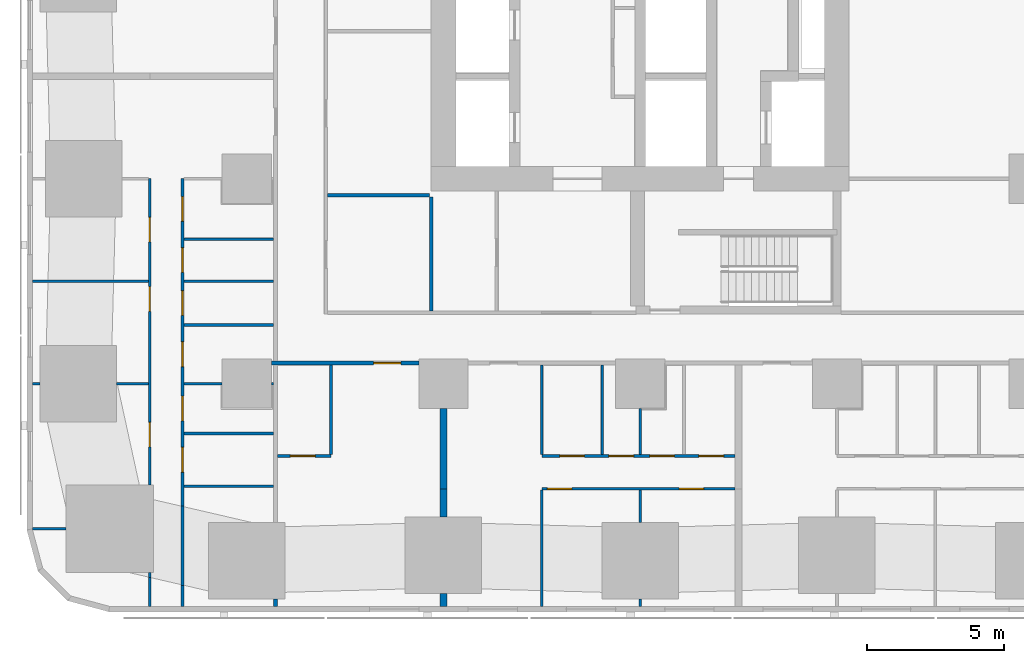
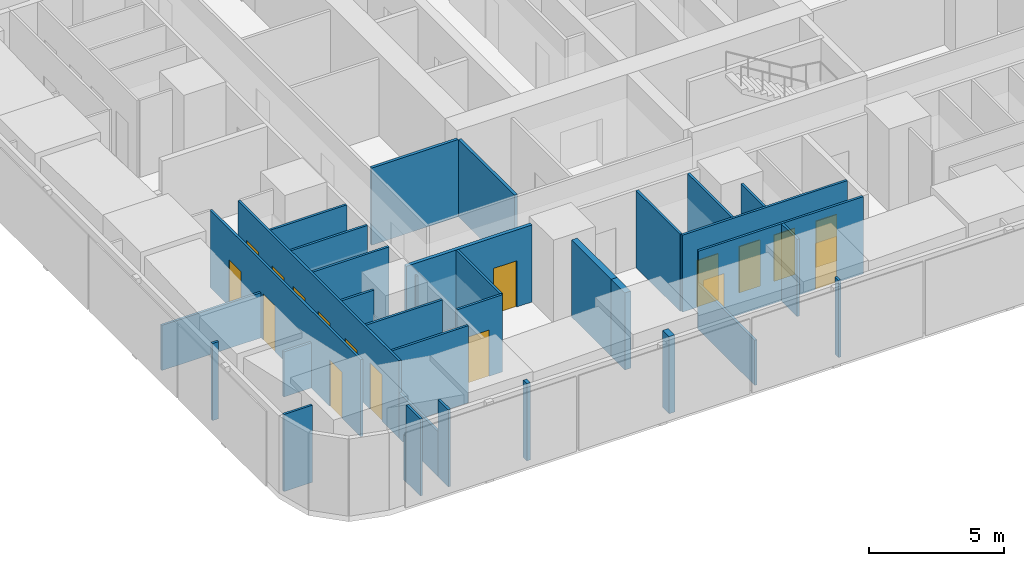
# One storey, part 2 of 18: 34 walls, 17 doors, 17 openings.
"""IFC4 building model written with IfcOpenShell, lengths in metres."""

from ifc_helpers import new_model, si_unit, direction, frame, frame_2d, origin, place, context, subcontext, project, spatial, rectangle, extrude, material, layer, layer_set, type_object, element, fill, save


model = new_model("IFC4")

# Units and contexts
model_context = context("Model", 3, precision=1e-05, world=origin(), true_north=direction((0.0, 1.0)))
body_context = subcontext(model_context, "Body", "Model", "MODEL_VIEW")
ifc_project = project(units=[si_unit("LENGTHUNIT", "METRE"), si_unit("AREAUNIT", "SQUARE_METRE"), si_unit("VOLUMEUNIT", "CUBIC_METRE"), si_unit("PLANEANGLEUNIT", "RADIAN"), si_unit("MASSUNIT", "GRAM", prefix="KILO")], contexts=[model_context])

# Site, building, storey
site_placement = place(None, origin())
site = spatial("IfcSite", under=ifc_project, at=site_placement, CompositionType="ELEMENT")
building_placement = place(site_placement, origin())
building = spatial("IfcBuilding", under=site, at=building_placement, Name="Sheger Commons Tower", CompositionType="ELEMENT")
storey_placement = place(building_placement, frame((0.0, 0.0, 35.0)))
storey = spatial("IfcBuildingStorey", under=building, at=storey_placement, Name="L08", CompositionType="ELEMENT", Elevation=35.0)

# Wall
ifc_material_1 = material(Name="Hollow concrete block masonry, skimmed both sides", Category="masonry")
ifc_layer_1 = layer(ifc_material_1, 0.14990234375)
ifc_layer_set_1 = layer_set([ifc_layer_1], Name="CORRIDOR WALL 150")
wall_type_1 = type_object("IfcWallType", Name="CORRIDOR WALL 150", PredefinedType="SOLIDWALL", material=ifc_layer_set_1)
wall_1_placement = place(storey_placement, frame((8.25, -0.64990234375, 0.0), z_axis=(0.0, 0.0, 1.0), x_axis=(0.0, 1.0, 0.0)))
element("IfcWall", 1, at=wall_1_placement, inside=storey, type_object=wall_type_1, Name="Corridor wall L08", PredefinedType="SOLIDWALL", context=body_context, shape_type="SweptSolid", body=[
    extrude(rectangle(XDim=0.27392578125, YDim=0.14990234375, at=frame_2d((0.136962890625, 0.0))), origin(), (0.0, 0.0, 1.0), 3.5),
])

# Wall, opening, door
wall_2_placement = place(storey_placement, frame((13.4990234375, 8.25, 0.0), z_axis=(0.0, 0.0, 1.0), x_axis=(-1.0, 0.0, 0.0)))
wall_2 = element("IfcWall", 2, at=wall_2_placement, inside=storey, type_object=wall_type_1, Name="Corridor wall L08", PredefinedType="SOLIDWALL", context=body_context, shape_type="SweptSolid", body=[
    extrude(rectangle(XDim=5.39892578125, YDim=0.14990234375, at=frame_2d((2.699462890625, 0.0))), origin(), (0.0, 0.0, 1.0), 3.5),
])
opening_1_placement = place(wall_2_placement, frame((0.659912109375, 0.0, 0.0)))
opening_1 = element("IfcOpeningElement", 3, at=opening_1_placement, cuts=wall_2, Name="Opening D1", PredefinedType="OPENING", context=body_context, shape_type="SweptSolid", body=[
    extrude(rectangle(XDim=1.0, YDim=2.10009765625, at=frame_2d((0.5, 1.050048828125))), frame((0.0, 0.0849609375, 0.0), z_axis=(0.0, -1.0, 0.0), x_axis=(1.0, 0.0, 0.0)), (0.0, 0.0, 1.0), 0.169921875),
])
ifc_material_2 = material(Name="Steel door set, fire rated", Category="steel")
door_type_1 = type_object("IfcDoorType", Name="FLAT ENTRANCE DOOR 1000x2100", OperationType="NOTDEFINED", PredefinedType="DOOR", material=ifc_material_2)
door_1_placement = place(opening_1_placement, origin())
door_1 = element("IfcDoor", 4, at=door_1_placement, inside=storey, type_object=door_type_1, Name="Flat entrance door", OperationType="SINGLE_SWING_LEFT", OverallHeight=2.10009765625, OverallWidth=1.0, PredefinedType="DOOR", context=body_context, shape_type="SweptSolid", body=[
    extrude(rectangle(XDim=1.0, YDim=2.10009765625, at=frame_2d((0.5, 1.050048828125))), frame((0.0, 0.02490234375, 0.0), z_axis=(0.0, -1.0, 0.0), x_axis=(1.0, 0.0, 0.0)), (0.0, 0.0, 1.0), 0.050048828125),
])
fill(opening_1, door_1)

# Walls
ifc_material_3 = material(Name="Dense concrete block masonry, plastered both sides (separating wall between flats)", Category="masonry")
ifc_layer_2 = layer(ifc_material_3, 0.25)
ifc_layer_set_2 = layer_set([ifc_layer_2], Name="DEMISING WALL 250")
wall_type_2 = type_object("IfcWallType", Name="DEMISING WALL 250", PredefinedType="SOLIDWALL", material=ifc_layer_set_2)
wall_3_placement = place(storey_placement, frame((14.39990234375, -0.64990234375, 0.0), z_axis=(0.0, 0.0, 1.0), x_axis=(0.0, 1.0, 0.0)))
element("IfcWall", 5, at=wall_3_placement, inside=storey, type_object=wall_type_2, Name="Demising wall L08", PredefinedType="SOLIDWALL", context=body_context, shape_type="SweptSolid", body=[
    extrude(rectangle(XDim=0.473876953125, YDim=0.25, at=frame_2d((0.23681640625, 0.0))), origin(), (0.0, 0.0, 1.0), 3.5),
])
wall_4_placement = place(storey_placement, frame((14.39990234375, 2.6259765625, 0.0), z_axis=(0.0, 0.0, 1.0), x_axis=(0.0, 1.0, 0.0)))
element("IfcWall", 6, at=wall_4_placement, inside=storey, type_object=wall_type_2, Name="Demising wall L08", PredefinedType="SOLIDWALL", context=body_context, shape_type="SweptSolid", body=[
    extrude(rectangle(XDim=1.02392578125, YDim=0.25, at=frame_2d((0.511962890625, 0.0))), origin(), (0.0, 0.0, 1.0), 3.5),
])
wall_5_placement = place(storey_placement, frame((14.39990234375, 3.64990234375, 0.0), z_axis=(0.0, 0.0, 1.0), x_axis=(0.0, 1.0, 0.0)))
element("IfcWall", 7, at=wall_5_placement, inside=storey, type_object=wall_type_2, Name="Demising wall L08", PredefinedType="SOLIDWALL", context=body_context, shape_type="SweptSolid", body=[
    extrude(rectangle(XDim=2.94921875, YDim=0.25, at=frame_2d((1.474609375, 0.0))), origin(), (0.0, 0.0, 1.0), 3.5),
])
ifc_material_4 = material(Name="Gypsum board on steel studs", Category="steel")
ifc_layer_3 = layer(ifc_material_4, 0.10009765625)
ifc_layer_set_3 = layer_set([ifc_layer_3], Name="PARTITION 100")
wall_type_3 = type_object("IfcWallType", Name="PARTITION 100", PredefinedType="PARTITIONING", material=ifc_layer_set_3)
wall_6_placement = place(storey_placement, frame((3.64990234375, -0.64990234375, 0.0), z_axis=(0.0, 0.0, 1.0), x_axis=(0.0, 1.0, 0.0)))
element("IfcWall", 8, at=wall_6_placement, inside=storey, type_object=wall_type_3, Name="Partition L08", PredefinedType="PARTITIONING", context=body_context, shape_type="SweptSolid", body=[
    extrude(rectangle(XDim=1.0478515625, YDim=0.10009765625, at=frame_2d((0.52392578125, 0.0))), origin(), (0.0, 0.0, 1.0), 3.5),
])
wall_7_placement = place(storey_placement, frame((3.64990234375, 0.39794921875, 0.0), z_axis=(0.0, 0.0, 1.0), x_axis=(0.0, 1.0, 0.0)))
element("IfcWall", 9, at=wall_7_placement, inside=storey, type_object=wall_type_3, Name="Partition L08", PredefinedType="PARTITIONING", context=body_context, shape_type="SweptSolid", body=[
    extrude(rectangle(XDim=0.18701171875, YDim=0.10009765625, at=frame_2d((0.093505859375, 0.0))), origin(), (0.0, 0.0, 1.0), 2.050048828125),
])

# Wall, openings, doors
wall_8_placement = place(storey_placement, frame((3.64990234375, 3.787109375, 0.0), z_axis=(0.0, 0.0, 1.0), x_axis=(0.0, 1.0, 0.0)))
wall_8 = element("IfcWall", 10, at=wall_8_placement, inside=storey, type_object=wall_type_3, Name="Partition L08", PredefinedType="PARTITIONING", context=body_context, shape_type="SweptSolid", body=[
    extrude(rectangle(XDim=11.212890625, YDim=0.10009765625, at=frame_2d((5.6064453125, 0.0))), origin(), (0.0, 0.0, 1.0), 3.5),
])
opening_2_placement = place(wall_8_placement, frame((8.89990234375, 0.0, 0.0)))
opening_2 = element("IfcOpeningElement", 11, at=opening_2_placement, cuts=wall_8, Name="Opening D2", PredefinedType="OPENING", context=body_context, shape_type="SweptSolid", body=[
    extrude(rectangle(XDim=0.89990234375, YDim=2.10009765625, at=frame_2d((0.449951171875, 1.050048828125))), frame((0.0, 0.06005859375, 0.0), z_axis=(0.0, -1.0, 0.0), x_axis=(1.0, 0.0, 0.0)), (0.0, 0.0, 1.0), 0.1201171875),
])
opening_3_placement = place(wall_8_placement, frame((6.363037109375, 0.0, 0.0)))
opening_3 = element("IfcOpeningElement", 12, at=opening_3_placement, cuts=wall_8, Name="Opening D2", PredefinedType="OPENING", context=body_context, shape_type="SweptSolid", body=[
    extrude(rectangle(XDim=0.89990234375, YDim=2.10009765625, at=frame_2d((0.449951171875, 1.050048828125))), frame((0.0, 0.06005859375, 0.0), z_axis=(0.0, -1.0, 0.0), x_axis=(1.0, 0.0, 0.0)), (0.0, 0.0, 1.0), 0.1201171875),
])
opening_4_placement = place(wall_8_placement, frame((1.39990234375, 0.0, 0.0)))
opening_4 = element("IfcOpeningElement", 13, at=opening_4_placement, cuts=wall_8, Name="Opening D2", PredefinedType="OPENING", context=body_context, shape_type="SweptSolid", body=[
    extrude(rectangle(XDim=0.89990234375, YDim=2.10009765625, at=frame_2d((0.449951171875, 1.050048828125))), frame((0.0, 0.06005859375, 0.0), z_axis=(0.0, -1.0, 0.0), x_axis=(1.0, 0.0, 0.0)), (0.0, 0.0, 1.0), 0.1201171875),
])
ifc_material_5 = material(Name="Timber door set", Category="wood")
door_type_2 = type_object("IfcDoorType", Name="INTERNAL DOOR 900x2100", OperationType="NOTDEFINED", PredefinedType="DOOR", material=ifc_material_5)
door_2_placement = place(opening_2_placement, origin())
door_2 = element("IfcDoor", 14, at=door_2_placement, inside=storey, type_object=door_type_2, Name="Main bedroom door", OperationType="SINGLE_SWING_RIGHT", OverallHeight=2.10009765625, OverallWidth=0.89990234375, PredefinedType="DOOR", context=body_context, shape_type="SweptSolid", body=[
    extrude(rectangle(XDim=0.89990234375, YDim=2.10009765625, at=frame_2d((0.449951171875, 1.050048828125))), frame((0.0, 0.02490234375, 0.0), z_axis=(0.0, -1.0, 0.0), x_axis=(1.0, 0.0, 0.0)), (0.0, 0.0, 1.0), 0.050048828125),
])
fill(opening_2, door_2)
door_3_placement = place(opening_3_placement, origin())
door_3 = element("IfcDoor", 15, at=door_3_placement, inside=storey, type_object=door_type_2, Name="Bedroom 2 door", OperationType="SINGLE_SWING_RIGHT", OverallHeight=2.10009765625, OverallWidth=0.89990234375, PredefinedType="DOOR", context=body_context, shape_type="SweptSolid", body=[
    extrude(rectangle(XDim=0.89990234375, YDim=2.10009765625, at=frame_2d((0.449951171875, 1.050048828125))), frame((0.0, 0.02490234375, 0.0), z_axis=(0.0, -1.0, 0.0), x_axis=(1.0, 0.0, 0.0)), (0.0, 0.0, 1.0), 0.050048828125),
])
fill(opening_3, door_3)
door_4_placement = place(opening_4_placement, origin())
door_4 = element("IfcDoor", 16, at=door_4_placement, inside=storey, type_object=door_type_2, Name="Bedroom 3 door", OperationType="SINGLE_SWING_LEFT", OverallHeight=2.10009765625, OverallWidth=0.89990234375, PredefinedType="DOOR", context=body_context, shape_type="SweptSolid", body=[
    extrude(rectangle(XDim=0.89990234375, YDim=2.10009765625, at=frame_2d((0.449951171875, 1.050048828125))), frame((0.0, 0.02490234375, 0.0), z_axis=(0.0, -1.0, 0.0), x_axis=(1.0, 0.0, 0.0)), (0.0, 0.0, 1.0), 0.050048828125),
])
fill(opening_4, door_4)

# Walls
wall_9_placement = place(storey_placement, frame((4.85009765625, -0.64990234375, 0.0), z_axis=(0.0, 0.0, 1.0), x_axis=(0.0, 1.0, 0.0)))
element("IfcWall", 17, at=wall_9_placement, inside=storey, type_object=wall_type_3, Name="Partition L08", PredefinedType="PARTITIONING", context=body_context, shape_type="SweptSolid", body=[
    extrude(rectangle(XDim=0.77099609375, YDim=0.10009765625, at=frame_2d((0.385498046875, 0.0))), origin(), (0.0, 0.0, 1.0), 3.5),
])
wall_10_placement = place(storey_placement, frame((4.85009765625, 0.12109375, 0.0), z_axis=(0.0, 0.0, 1.0), x_axis=(0.0, 1.0, 0.0)))
element("IfcWall", 18, at=wall_10_placement, inside=storey, type_object=wall_type_3, Name="Partition L08", PredefinedType="PARTITIONING", context=body_context, shape_type="SweptSolid", body=[
    extrude(rectangle(XDim=2.89697265625, YDim=0.10009765625, at=frame_2d((1.448486328125, 0.0))), origin(), (0.0, 0.0, 1.0), 2.050048828125),
])

# Wall, openings, doors
wall_11_placement = place(storey_placement, frame((4.85009765625, 3.01806640625, 0.0), z_axis=(0.0, 0.0, 1.0), x_axis=(0.0, 1.0, 0.0)))
wall_11 = element("IfcWall", 19, at=wall_11_placement, inside=storey, type_object=wall_type_3, Name="Partition L08", PredefinedType="PARTITIONING", context=body_context, shape_type="SweptSolid", body=[
    extrude(rectangle(XDim=11.98193359375, YDim=0.10009765625, at=frame_2d((5.990966796875, 0.0))), origin(), (0.0, 0.0, 1.0), 3.5),
])
opening_5_placement = place(wall_11_placement, frame((10.427001953125, 0.0, 0.0)))
opening_5 = element("IfcOpeningElement", 20, at=opening_5_placement, cuts=wall_11, Name="Opening D2", PredefinedType="OPENING", context=body_context, shape_type="SweptSolid", body=[
    extrude(rectangle(XDim=0.89990234375, YDim=2.10009765625, at=frame_2d((0.449951171875, 1.050048828125))), frame((0.0, 0.06005859375, 0.0), z_axis=(0.0, -1.0, 0.0), x_axis=(1.0, 0.0, 0.0)), (0.0, 0.0, 1.0), 0.1201171875),
])
opening_6_placement = place(wall_11_placement, frame((6.98193359375, 0.0, 0.0)))
opening_6 = element("IfcOpeningElement", 21, at=opening_6_placement, cuts=wall_11, Name="Opening D2", PredefinedType="OPENING", context=body_context, shape_type="SweptSolid", body=[
    extrude(rectangle(XDim=0.89990234375, YDim=2.10009765625, at=frame_2d((0.449951171875, 1.050048828125))), frame((0.0, 0.06005859375, 0.0), z_axis=(0.0, -1.0, 0.0), x_axis=(1.0, 0.0, 0.0)), (0.0, 0.0, 1.0), 0.1201171875),
])
opening_7_placement = place(wall_11_placement, frame((3.1220703125, 0.0, 0.0)))
opening_7 = element("IfcOpeningElement", 22, at=opening_7_placement, cuts=wall_11, Name="Opening D2", PredefinedType="OPENING", context=body_context, shape_type="SweptSolid", body=[
    extrude(rectangle(XDim=0.89990234375, YDim=2.10009765625, at=frame_2d((0.449951171875, 1.050048828125))), frame((0.0, 0.06005859375, 0.0), z_axis=(0.0, -1.0, 0.0), x_axis=(1.0, 0.0, 0.0)), (0.0, 0.0, 1.0), 0.1201171875),
])
opening_8_placement = place(wall_11_placement, frame((8.552001953125, 0.0, 0.0)))
opening_8 = element("IfcOpeningElement", 23, at=opening_8_placement, cuts=wall_11, Name="Opening D2", PredefinedType="OPENING", context=body_context, shape_type="SweptSolid", body=[
    extrude(rectangle(XDim=0.89990234375, YDim=2.10009765625, at=frame_2d((0.449951171875, 1.050048828125))), frame((0.0, 0.06005859375, 0.0), z_axis=(0.0, -1.0, 0.0), x_axis=(1.0, 0.0, 0.0)), (0.0, 0.0, 1.0), 0.1201171875),
])
opening_9_placement = place(wall_11_placement, frame((5.10693359375, 0.0, 0.0)))
opening_9 = element("IfcOpeningElement", 24, at=opening_9_placement, cuts=wall_11, Name="Opening D2", PredefinedType="OPENING", context=body_context, shape_type="SweptSolid", body=[
    extrude(rectangle(XDim=0.89990234375, YDim=2.10009765625, at=frame_2d((0.449951171875, 1.050048828125))), frame((0.0, 0.06005859375, 0.0), z_axis=(0.0, -1.0, 0.0), x_axis=(1.0, 0.0, 0.0)), (0.0, 0.0, 1.0), 0.1201171875),
])
opening_10_placement = place(wall_11_placement, frame((1.2470703125, 0.0, 0.0)))
opening_10 = element("IfcOpeningElement", 25, at=opening_10_placement, cuts=wall_11, Name="Opening D2", PredefinedType="OPENING", context=body_context, shape_type="SweptSolid", body=[
    extrude(rectangle(XDim=0.89990234375, YDim=2.10009765625, at=frame_2d((0.449951171875, 1.050048828125))), frame((0.0, 0.06005859375, 0.0), z_axis=(0.0, -1.0, 0.0), x_axis=(1.0, 0.0, 0.0)), (0.0, 0.0, 1.0), 0.1201171875),
])
door_5_placement = place(opening_5_placement, origin())
door_5 = element("IfcDoor", 26, at=door_5_placement, inside=storey, type_object=door_type_2, Name="Bathroom door", OperationType="SINGLE_SWING_LEFT", OverallHeight=2.10009765625, OverallWidth=0.89990234375, PredefinedType="DOOR", context=body_context, shape_type="SweptSolid", body=[
    extrude(rectangle(XDim=0.89990234375, YDim=2.10009765625, at=frame_2d((0.449951171875, 1.050048828125))), frame((0.0, 0.02490234375, 0.0), z_axis=(0.0, -1.0, 0.0), x_axis=(1.0, 0.0, 0.0)), (0.0, 0.0, 1.0), 0.050048828125),
])
fill(opening_5, door_5)
door_6_placement = place(opening_6_placement, origin())
door_6 = element("IfcDoor", 27, at=door_6_placement, inside=storey, type_object=door_type_2, Name="Shower room door", OperationType="SINGLE_SWING_RIGHT", OverallHeight=2.10009765625, OverallWidth=0.89990234375, PredefinedType="DOOR", context=body_context, shape_type="SweptSolid", body=[
    extrude(rectangle(XDim=0.89990234375, YDim=2.10009765625, at=frame_2d((0.449951171875, 1.050048828125))), frame((0.0, 0.02490234375, 0.0), z_axis=(0.0, -1.0, 0.0), x_axis=(1.0, 0.0, 0.0)), (0.0, 0.0, 1.0), 0.050048828125),
])
fill(opening_6, door_6)
door_7_placement = place(opening_7_placement, origin())
door_7 = element("IfcDoor", 28, at=door_7_placement, inside=storey, type_object=door_type_2, Name="Laundry room door", OperationType="SINGLE_SWING_RIGHT", OverallHeight=2.10009765625, OverallWidth=0.89990234375, PredefinedType="DOOR", context=body_context, shape_type="SweptSolid", body=[
    extrude(rectangle(XDim=0.89990234375, YDim=2.10009765625, at=frame_2d((0.449951171875, 1.050048828125))), frame((0.0, 0.02490234375, 0.0), z_axis=(0.0, -1.0, 0.0), x_axis=(1.0, 0.0, 0.0)), (0.0, 0.0, 1.0), 0.050048828125),
])
fill(opening_7, door_7)
door_8_placement = place(opening_8_placement, origin())
door_8 = element("IfcDoor", 29, at=door_8_placement, inside=storey, type_object=door_type_2, Name="Store door", OperationType="SINGLE_SWING_LEFT", OverallHeight=2.10009765625, OverallWidth=0.89990234375, PredefinedType="DOOR", context=body_context, shape_type="SweptSolid", body=[
    extrude(rectangle(XDim=0.89990234375, YDim=2.10009765625, at=frame_2d((0.449951171875, 1.050048828125))), frame((0.0, 0.02490234375, 0.0), z_axis=(0.0, -1.0, 0.0), x_axis=(1.0, 0.0, 0.0)), (0.0, 0.0, 1.0), 0.050048828125),
])
fill(opening_8, door_8)
door_9_placement = place(opening_9_placement, origin())
door_9 = element("IfcDoor", 30, at=door_9_placement, inside=storey, type_object=door_type_2, Name="Store door", OperationType="SINGLE_SWING_LEFT", OverallHeight=2.10009765625, OverallWidth=0.89990234375, PredefinedType="DOOR", context=body_context, shape_type="SweptSolid", body=[
    extrude(rectangle(XDim=0.89990234375, YDim=2.10009765625, at=frame_2d((0.449951171875, 1.050048828125))), frame((0.0, 0.02490234375, 0.0), z_axis=(0.0, -1.0, 0.0), x_axis=(1.0, 0.0, 0.0)), (0.0, 0.0, 1.0), 0.050048828125),
])
fill(opening_9, door_9)
door_10_placement = place(opening_10_placement, origin())
door_10 = element("IfcDoor", 31, at=door_10_placement, inside=storey, type_object=door_type_2, Name="Store door", OperationType="SINGLE_SWING_LEFT", OverallHeight=2.10009765625, OverallWidth=0.89990234375, PredefinedType="DOOR", context=body_context, shape_type="SweptSolid", body=[
    extrude(rectangle(XDim=0.89990234375, YDim=2.10009765625, at=frame_2d((0.449951171875, 1.050048828125))), frame((0.0, 0.02490234375, 0.0), z_axis=(0.0, -1.0, 0.0), x_axis=(1.0, 0.0, 0.0)), (0.0, 0.0, 1.0), 0.050048828125),
])
fill(opening_10, door_10)

# Walls
wall_12_placement = place(storey_placement, frame((-0.64990234375, 2.18603515625, 0.0), z_axis=(0.0, 0.0, 1.0), x_axis=(1.0, 0.0, 0.0)))
element("IfcWall", 32, at=wall_12_placement, inside=storey, type_object=wall_type_3, Name="Partition L08", PredefinedType="PARTITIONING", context=body_context, shape_type="SweptSolid", body=[
    extrude(rectangle(XDim=1.23486328125, YDim=0.10009765625, at=frame_2d((0.617431640625, 0.0))), origin(), (0.0, 0.0, 1.0), 3.5),
])
wall_13_placement = place(storey_placement, frame((-0.64990234375, 7.5, 0.0), z_axis=(0.0, 0.0, 1.0), x_axis=(1.0, 0.0, 0.0)))
element("IfcWall", 33, at=wall_13_placement, inside=storey, type_object=wall_type_3, Name="Partition L08", PredefinedType="PARTITIONING", context=body_context, shape_type="SweptSolid", body=[
    extrude(rectangle(XDim=0.27392578125, YDim=0.10009765625, at=frame_2d((0.136962890625, 0.0))), origin(), (0.0, 0.0, 1.0), 3.5),
])
wall_14_placement = place(storey_placement, frame((2.426025390625, 7.5, 0.0), z_axis=(0.0, 0.0, 1.0), x_axis=(1.0, 0.0, 0.0)))
element("IfcWall", 34, at=wall_14_placement, inside=storey, type_object=wall_type_3, Name="Partition L08", PredefinedType="PARTITIONING", context=body_context, shape_type="SweptSolid", body=[
    extrude(rectangle(XDim=1.174072265625, YDim=0.10009765625, at=frame_2d((0.5869140625, 0.0))), origin(), (0.0, 0.0, 1.0), 2.050048828125),
])
wall_15_placement = place(storey_placement, frame((-0.64990234375, 11.25, 0.0), z_axis=(0.0, 0.0, 1.0), x_axis=(1.0, 0.0, 0.0)))
element("IfcWall", 35, at=wall_15_placement, inside=storey, type_object=wall_type_3, Name="Partition L08", PredefinedType="PARTITIONING", context=body_context, shape_type="SweptSolid", body=[
    extrude(rectangle(XDim=4.25, YDim=0.10009765625, at=frame_2d((2.125, 0.0))), origin(), (0.0, 0.0, 1.0), 2.050048828125),
])
wall_16_placement = place(storey_placement, frame((4.89990234375, 3.75, 0.0), z_axis=(0.0, 0.0, 1.0), x_axis=(1.0, 0.0, 0.0)))
element("IfcWall", 36, at=wall_16_placement, inside=storey, type_object=wall_type_3, Name="Partition L08", PredefinedType="PARTITIONING", context=body_context, shape_type="SweptSolid", body=[
    extrude(rectangle(XDim=3.275146484375, YDim=0.10009765625, at=frame_2d((1.6376953125, 0.0))), origin(), (0.0, 0.0, 1.0), 3.5),
])
wall_17_placement = place(storey_placement, frame((4.89990234375, 7.5, 0.0), z_axis=(0.0, 0.0, 1.0), x_axis=(1.0, 0.0, 0.0)))
element("IfcWall", 37, at=wall_17_placement, inside=storey, type_object=wall_type_3, Name="Partition L08", PredefinedType="PARTITIONING", context=body_context, shape_type="SweptSolid", body=[
    extrude(rectangle(XDim=1.399169921875, YDim=0.10009765625, at=frame_2d((0.69970703125, 0.0))), origin(), (0.0, 0.0, 1.0), 3.5),
])
wall_18_placement = place(storey_placement, frame((8.10107421875, 7.5, 0.0), z_axis=(0.0, 0.0, 1.0), x_axis=(1.0, 0.0, 0.0)))
element("IfcWall", 38, at=wall_18_placement, inside=storey, type_object=wall_type_3, Name="Partition L08", PredefinedType="PARTITIONING", context=body_context, shape_type="SweptSolid", body=[
    extrude(rectangle(XDim=0.073974609375, YDim=0.10009765625, at=frame_2d((0.037109375, 0.0))), origin(), (0.0, 0.0, 1.0), 3.5),
])
for number, where, z_axis, x_axis, name in (
    (39, (4.89990234375, 11.25, 0.0), (0.0, 0.0, 1.0), (1.0, 0.0, 0.0), "Partition L08"),
    (40, (4.89990234375, 12.7900390625, 0.0), (0.0, 0.0, 1.0), (1.0, 0.0, 0.0), "Partition L08"),
    (41, (4.89990234375, 9.64990234375, 0.0), (0.0, 0.0, 1.0), (1.0, 0.0, 0.0), "Partition L08"),
    (42, (4.89990234375, 5.679931640625, 0.0), (0.0, 0.0, 1.0), (1.0, 0.0, 0.0), "Partition L08"),
):
    element("IfcWall", number, at=place(storey_placement, frame(where, z_axis=z_axis, x_axis=x_axis)), inside=storey, type_object=wall_type_3, Name=name, PredefinedType="PARTITIONING", context=body_context, shape_type="SweptSolid", body=[
        extrude(rectangle(XDim=3.275146484375, YDim=0.10009765625, at=frame_2d((1.6376953125, 0.0))), origin(), (0.0, 0.0, 1.0), 3.5),
    ])

# Wall, opening, door
wall_19_placement = place(storey_placement, frame((10.279052734375, 4.85009765625, 0.0), z_axis=(0.0, 0.0, 1.0), x_axis=(-1.0, 0.0, 0.0)))
wall_19 = element("IfcWall", 43, at=wall_19_placement, inside=storey, type_object=wall_type_3, Name="Partition L08", PredefinedType="PARTITIONING", context=body_context, shape_type="SweptSolid", body=[
    extrude(rectangle(XDim=1.9541015625, YDim=0.10009765625, at=frame_2d((0.97705078125, 0.0))), origin(), (0.0, 0.0, 1.0), 3.5),
])
opening_11_placement = place(wall_19_placement, frame((0.5791015625, 0.0, 0.0)))
opening_11 = element("IfcOpeningElement", 44, at=opening_11_placement, cuts=wall_19, Name="Opening D2", PredefinedType="OPENING", context=body_context, shape_type="SweptSolid", body=[
    extrude(rectangle(XDim=0.89990234375, YDim=2.10009765625, at=frame_2d((0.449951171875, 1.050048828125))), frame((0.0, 0.06005859375, 0.0), z_axis=(0.0, -1.0, 0.0), x_axis=(1.0, 0.0, 0.0)), (0.0, 0.0, 1.0), 0.1201171875),
])
door_11_placement = place(opening_11_placement, origin())
door_11 = element("IfcDoor", 45, at=door_11_placement, inside=storey, type_object=door_type_2, Name="Shower room door", OperationType="SINGLE_SWING_LEFT", OverallHeight=2.10009765625, OverallWidth=0.89990234375, PredefinedType="DOOR", context=body_context, shape_type="SweptSolid", body=[
    extrude(rectangle(XDim=0.89990234375, YDim=2.10009765625, at=frame_2d((0.449951171875, 1.050048828125))), frame((0.0, 0.02490234375, 0.0), z_axis=(0.0, -1.0, 0.0), x_axis=(1.0, 0.0, 0.0)), (0.0, 0.0, 1.0), 0.050048828125),
])
fill(opening_11, door_11)

# Wall
wall_20_placement = place(storey_placement, frame((10.279052734375, 4.89990234375, 0.0), z_axis=(0.0, 0.0, 1.0), x_axis=(0.0, 1.0, 0.0)))
element("IfcWall", 46, at=wall_20_placement, inside=storey, type_object=wall_type_3, Name="Partition L08", PredefinedType="PARTITIONING", context=body_context, shape_type="SweptSolid", body=[
    extrude(rectangle(XDim=3.275146484375, YDim=0.10009765625, at=frame_2d((1.6376953125, 0.0))), origin(), (0.0, 0.0, 1.0), 3.5),
])

# Wall, openings, doors
wall_21_placement = place(storey_placement, frame((25.074951171875, 3.64990234375, 0.0), z_axis=(0.0, 0.0, 1.0), x_axis=(-1.0, 0.0, 0.0)))
wall_21 = element("IfcWall", 47, at=wall_21_placement, inside=storey, type_object=wall_type_3, Name="Partition L08", PredefinedType="PARTITIONING", context=body_context, shape_type="SweptSolid", body=[
    extrude(rectangle(XDim=7.074951171875, YDim=0.10009765625, at=frame_2d((3.53759765625, 0.0))), origin(), (0.0, 0.0, 1.0), 3.5),
])
opening_12_placement = place(wall_21_placement, frame((5.97509765625, 0.0, 0.0)))
opening_12 = element("IfcOpeningElement", 48, at=opening_12_placement, cuts=wall_21, Name="Opening D2", PredefinedType="OPENING", context=body_context, shape_type="SweptSolid", body=[
    extrude(rectangle(XDim=0.89990234375, YDim=2.10009765625, at=frame_2d((0.449951171875, 1.050048828125))), frame((0.0, 0.06005859375, 0.0), z_axis=(0.0, -1.0, 0.0), x_axis=(1.0, 0.0, 0.0)), (0.0, 0.0, 1.0), 0.1201171875),
])
opening_13_placement = place(wall_21_placement, frame((1.14990234375, 0.0, 0.0)))
opening_13 = element("IfcOpeningElement", 49, at=opening_13_placement, cuts=wall_21, Name="Opening D2", PredefinedType="OPENING", context=body_context, shape_type="SweptSolid", body=[
    extrude(rectangle(XDim=0.89990234375, YDim=2.10009765625, at=frame_2d((0.449951171875, 1.050048828125))), frame((0.0, 0.06005859375, 0.0), z_axis=(0.0, -1.0, 0.0), x_axis=(1.0, 0.0, 0.0)), (0.0, 0.0, 1.0), 0.1201171875),
])
door_12_placement = place(opening_12_placement, origin())
door_12 = element("IfcDoor", 50, at=door_12_placement, inside=storey, type_object=door_type_2, Name="Main bedroom door", OperationType="SINGLE_SWING_RIGHT", OverallHeight=2.10009765625, OverallWidth=0.89990234375, PredefinedType="DOOR", context=body_context, shape_type="SweptSolid", body=[
    extrude(rectangle(XDim=0.89990234375, YDim=2.10009765625, at=frame_2d((0.449951171875, 1.050048828125))), frame((0.0, 0.02490234375, 0.0), z_axis=(0.0, -1.0, 0.0), x_axis=(1.0, 0.0, 0.0)), (0.0, 0.0, 1.0), 0.050048828125),
])
fill(opening_12, door_12)
door_13_placement = place(opening_13_placement, origin())
door_13 = element("IfcDoor", 51, at=door_13_placement, inside=storey, type_object=door_type_2, Name="Bedroom 2 door", OperationType="SINGLE_SWING_LEFT", OverallHeight=2.10009765625, OverallWidth=0.89990234375, PredefinedType="DOOR", context=body_context, shape_type="SweptSolid", body=[
    extrude(rectangle(XDim=0.89990234375, YDim=2.10009765625, at=frame_2d((0.449951171875, 1.050048828125))), frame((0.0, 0.02490234375, 0.0), z_axis=(0.0, -1.0, 0.0), x_axis=(1.0, 0.0, 0.0)), (0.0, 0.0, 1.0), 0.050048828125),
])
fill(opening_13, door_13)

wall_22_placement = place(storey_placement, frame((25.074951171875, 4.85009765625, 0.0), z_axis=(0.0, 0.0, 1.0), x_axis=(-1.0, 0.0, 0.0)))
wall_22 = element("IfcWall", 52, at=wall_22_placement, inside=storey, type_object=wall_type_3, Name="Partition L08", PredefinedType="PARTITIONING", context=body_context, shape_type="SweptSolid", body=[
    extrude(rectangle(XDim=7.074951171875, YDim=0.10009765625, at=frame_2d((3.53759765625, 0.0))), origin(), (0.0, 0.0, 1.0), 3.5),
])
opening_14_placement = place(wall_22_placement, frame((5.52001953125, 0.0, 0.0)))
opening_14 = element("IfcOpeningElement", 53, at=opening_14_placement, cuts=wall_22, Name="Opening D2", PredefinedType="OPENING", context=body_context, shape_type="SweptSolid", body=[
    extrude(rectangle(XDim=0.89990234375, YDim=2.10009765625, at=frame_2d((0.449951171875, 1.050048828125))), frame((0.0, 0.06005859375, 0.0), z_axis=(0.0, -1.0, 0.0), x_axis=(1.0, 0.0, 0.0)), (0.0, 0.0, 1.0), 0.1201171875),
])
opening_15_placement = place(wall_22_placement, frame((2.22509765625, 0.0, 0.0)))
opening_15 = element("IfcOpeningElement", 54, at=opening_15_placement, cuts=wall_22, Name="Opening D2", PredefinedType="OPENING", context=body_context, shape_type="SweptSolid", body=[
    extrude(rectangle(XDim=0.89990234375, YDim=2.10009765625, at=frame_2d((0.449951171875, 1.050048828125))), frame((0.0, 0.06005859375, 0.0), z_axis=(0.0, -1.0, 0.0), x_axis=(1.0, 0.0, 0.0)), (0.0, 0.0, 1.0), 0.1201171875),
])
opening_16_placement = place(wall_22_placement, frame((3.719970703125, 0.0, 0.0)))
opening_16 = element("IfcOpeningElement", 55, at=opening_16_placement, cuts=wall_22, Name="Opening D2", PredefinedType="OPENING", context=body_context, shape_type="SweptSolid", body=[
    extrude(rectangle(XDim=0.89990234375, YDim=2.10009765625, at=frame_2d((0.449951171875, 1.050048828125))), frame((0.0, 0.06005859375, 0.0), z_axis=(0.0, -1.0, 0.0), x_axis=(1.0, 0.0, 0.0)), (0.0, 0.0, 1.0), 0.1201171875),
])
opening_17_placement = place(wall_22_placement, frame((0.425048828125, 0.0, 0.0)))
opening_17 = element("IfcOpeningElement", 56, at=opening_17_placement, cuts=wall_22, Name="Opening D2", PredefinedType="OPENING", context=body_context, shape_type="SweptSolid", body=[
    extrude(rectangle(XDim=0.89990234375, YDim=2.10009765625, at=frame_2d((0.449951171875, 1.050048828125))), frame((0.0, 0.06005859375, 0.0), z_axis=(0.0, -1.0, 0.0), x_axis=(1.0, 0.0, 0.0)), (0.0, 0.0, 1.0), 0.1201171875),
])
door_14_placement = place(opening_14_placement, origin())
door_14 = element("IfcDoor", 57, at=door_14_placement, inside=storey, type_object=door_type_2, Name="Bathroom door", OperationType="SINGLE_SWING_LEFT", OverallHeight=2.10009765625, OverallWidth=0.89990234375, PredefinedType="DOOR", context=body_context, shape_type="SweptSolid", body=[
    extrude(rectangle(XDim=0.89990234375, YDim=2.10009765625, at=frame_2d((0.449951171875, 1.050048828125))), frame((0.0, 0.02490234375, 0.0), z_axis=(0.0, -1.0, 0.0), x_axis=(1.0, 0.0, 0.0)), (0.0, 0.0, 1.0), 0.050048828125),
])
fill(opening_14, door_14)
door_15_placement = place(opening_15_placement, origin())
door_15 = element("IfcDoor", 58, at=door_15_placement, inside=storey, type_object=door_type_2, Name="Shower room door", OperationType="SINGLE_SWING_LEFT", OverallHeight=2.10009765625, OverallWidth=0.89990234375, PredefinedType="DOOR", context=body_context, shape_type="SweptSolid", body=[
    extrude(rectangle(XDim=0.89990234375, YDim=2.10009765625, at=frame_2d((0.449951171875, 1.050048828125))), frame((0.0, 0.02490234375, 0.0), z_axis=(0.0, -1.0, 0.0), x_axis=(1.0, 0.0, 0.0)), (0.0, 0.0, 1.0), 0.050048828125),
])
fill(opening_15, door_15)
door_16_placement = place(opening_16_placement, origin())
door_16 = element("IfcDoor", 59, at=door_16_placement, inside=storey, type_object=door_type_2, Name="Store door", OperationType="SINGLE_SWING_LEFT", OverallHeight=2.10009765625, OverallWidth=0.89990234375, PredefinedType="DOOR", context=body_context, shape_type="SweptSolid", body=[
    extrude(rectangle(XDim=0.89990234375, YDim=2.10009765625, at=frame_2d((0.449951171875, 1.050048828125))), frame((0.0, 0.02490234375, 0.0), z_axis=(0.0, -1.0, 0.0), x_axis=(1.0, 0.0, 0.0)), (0.0, 0.0, 1.0), 0.050048828125),
])
fill(opening_16, door_16)
door_17_placement = place(opening_17_placement, origin())
door_17 = element("IfcDoor", 60, at=door_17_placement, inside=storey, type_object=door_type_2, Name="Store door", OperationType="SINGLE_SWING_RIGHT", OverallHeight=2.10009765625, OverallWidth=0.89990234375, PredefinedType="DOOR", context=body_context, shape_type="SweptSolid", body=[
    extrude(rectangle(XDim=0.89990234375, YDim=2.10009765625, at=frame_2d((0.449951171875, 1.050048828125))), frame((0.0, 0.02490234375, 0.0), z_axis=(0.0, -1.0, 0.0), x_axis=(1.0, 0.0, 0.0)), (0.0, 0.0, 1.0), 0.050048828125),
])
fill(opening_17, door_17)

# Walls
wall_23_placement = place(storey_placement, frame((18.0, -0.64990234375, 0.0), z_axis=(0.0, 0.0, 1.0), x_axis=(0.0, 1.0, 0.0)))
element("IfcWall", 61, at=wall_23_placement, inside=storey, type_object=wall_type_3, Name="Partition L08", PredefinedType="PARTITIONING", context=body_context, shape_type="SweptSolid", body=[
    extrude(rectangle(XDim=4.25, YDim=0.10009765625, at=frame_2d((2.125, 0.0))), origin(), (0.0, 0.0, 1.0), 2.050048828125),
])
wall_24_placement = place(storey_placement, frame((21.60009765625, -0.64990234375, 0.0), z_axis=(0.0, 0.0, 1.0), x_axis=(0.0, 1.0, 0.0)))
element("IfcWall", 62, at=wall_24_placement, inside=storey, type_object=wall_type_3, Name="Partition L08", PredefinedType="PARTITIONING", context=body_context, shape_type="SweptSolid", body=[
    extrude(rectangle(XDim=0.27392578125, YDim=0.10009765625, at=frame_2d((0.136962890625, 0.0))), origin(), (0.0, 0.0, 1.0), 3.5),
])
wall_25_placement = place(storey_placement, frame((21.60009765625, 2.426025390625, 0.0), z_axis=(0.0, 0.0, 1.0), x_axis=(0.0, 1.0, 0.0)))
element("IfcWall", 63, at=wall_25_placement, inside=storey, type_object=wall_type_3, Name="Partition L08", PredefinedType="PARTITIONING", context=body_context, shape_type="SweptSolid", body=[
    extrude(rectangle(XDim=1.174072265625, YDim=0.10009765625, at=frame_2d((0.5869140625, 0.0))), origin(), (0.0, 0.0, 1.0), 3.5),
])
wall_26_placement = place(storey_placement, frame((18.0, 4.89990234375, 0.0), z_axis=(0.0, 0.0, 1.0), x_axis=(0.0, 1.0, 0.0)))
element("IfcWall", 64, at=wall_26_placement, inside=storey, type_object=wall_type_3, Name="Partition L08", PredefinedType="PARTITIONING", context=body_context, shape_type="SweptSolid", body=[
    extrude(rectangle(XDim=3.275146484375, YDim=0.10009765625, at=frame_2d((1.6376953125, 0.0))), origin(), (0.0, 0.0, 1.0), 3.5),
])
wall_27_placement = place(storey_placement, frame((21.60009765625, 4.89990234375, 0.0), z_axis=(0.0, 0.0, 1.0), x_axis=(0.0, 1.0, 0.0)))
element("IfcWall", 65, at=wall_27_placement, inside=storey, type_object=wall_type_3, Name="Partition L08", PredefinedType="PARTITIONING", context=body_context, shape_type="SweptSolid", body=[
    extrude(rectangle(XDim=1.69921875, YDim=0.10009765625, at=frame_2d((0.849609375, 0.0))), origin(), (0.0, 0.0, 1.0), 3.5),
])
wall_28_placement = place(storey_placement, frame((20.2099609375, 4.89990234375, 0.0), z_axis=(0.0, 0.0, 1.0), x_axis=(0.0, 1.0, 0.0)))
element("IfcWall", 66, at=wall_28_placement, inside=storey, type_object=wall_type_3, Name="Partition L08", PredefinedType="PARTITIONING", context=body_context, shape_type="SweptSolid", body=[
    extrude(rectangle(XDim=3.275146484375, YDim=0.10009765625, at=frame_2d((1.6376953125, 0.0))), origin(), (0.0, 0.0, 1.0), 3.5),
])
ifc_material_6 = material(Name="Gypsum board on steel studs, two layers each side, fire rated", Category="steel")
ifc_layer_4 = layer(ifc_material_6, 0.125)
ifc_layer_set_4 = layer_set([ifc_layer_4], Name="SERVICE WALL 125")
wall_type_4 = type_object("IfcWallType", Name="SERVICE WALL 125", PredefinedType="PARTITIONING", material=ifc_layer_set_4)
wall_29_placement = place(storey_placement, frame((10.1630859375, 14.39990234375, 0.0), z_axis=(0.0, 0.0, 1.0), x_axis=(1.0, 0.0, 0.0)))
element("IfcWall", 67, at=wall_29_placement, inside=storey, type_object=wall_type_4, Name="Service room wall L08", PredefinedType="PARTITIONING", context=body_context, shape_type="SweptSolid", body=[
    extrude(rectangle(XDim=3.724853515625, YDim=0.125, at=frame_2d((1.8623046875, 0.0))), origin(), (0.0, 0.0, 1.0), 3.5),
])
wall_30_placement = place(storey_placement, frame((13.949951171875, 10.1630859375, 0.0), z_axis=(0.0, 0.0, 1.0), x_axis=(0.0, 1.0, 0.0)))
element("IfcWall", 68, at=wall_30_placement, inside=storey, type_object=wall_type_4, Name="Service room wall L08", PredefinedType="PARTITIONING", context=body_context, shape_type="SweptSolid", body=[
    extrude(rectangle(XDim=4.1748046875, YDim=0.125, at=frame_2d((2.08740234375, 0.0))), origin(), (0.0, 0.0, 1.0), 3.5),
])

save(model, "model.ifc")
